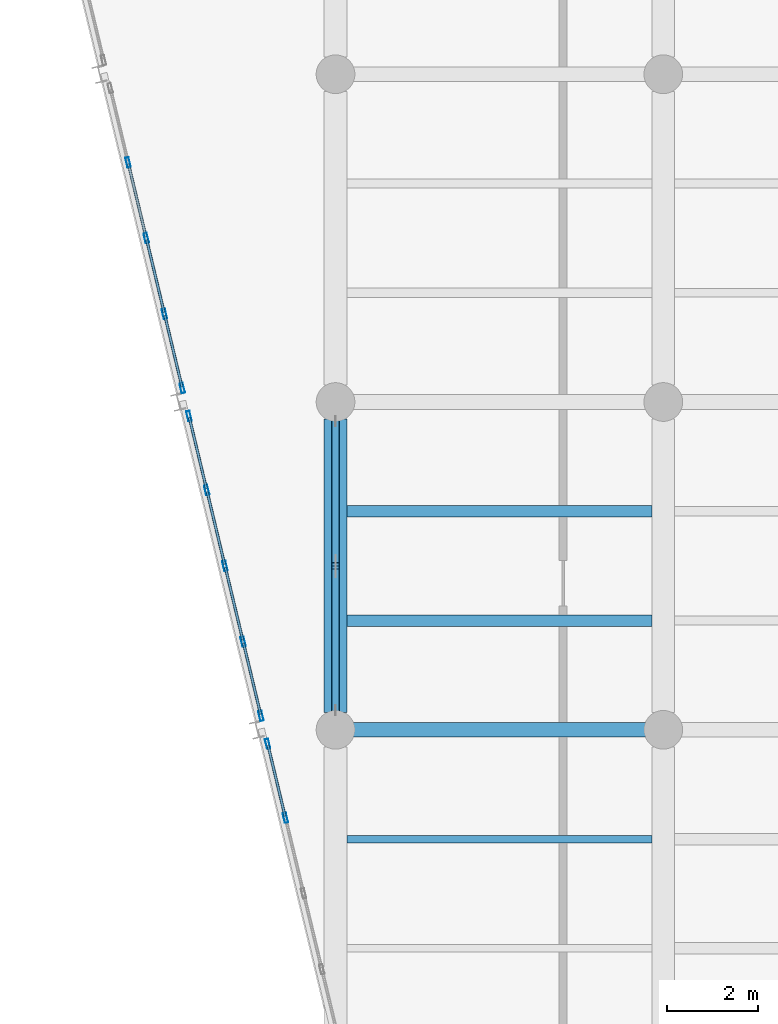
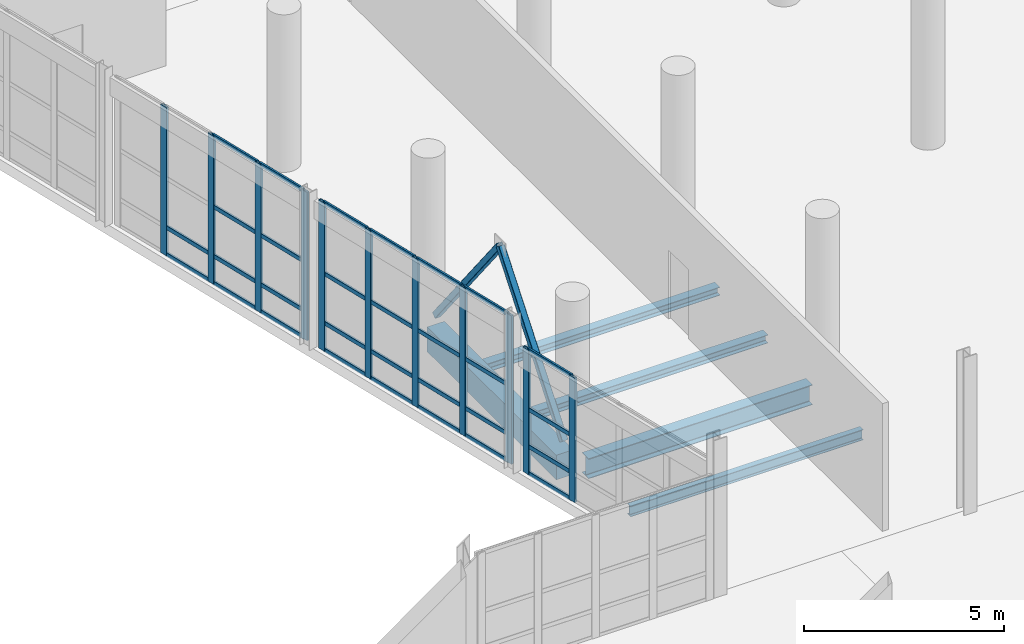
# One storey, part 64 of 127: 43 members, 5 beams, 3 elements without a shape of their own.
"""IFC4 building model written with IfcOpenShell, lengths in metres."""

from ifc_helpers import new_model, si_unit, direction, frame, origin, origin_2d, place, context, subcontext, project, spatial, rectangle, hollow_rectangle, i_section, extrude, material, material_profile, profile_set, type_object, element, aggregate, save


model = new_model("IFC4")

# Units and contexts
model_context = context("Model", 3, precision=1e-05, world=origin(), true_north=direction((0.0, 1.0)))
body_context = subcontext(model_context, "Body", "Model", "MODEL_VIEW")
ifc_project = project(units=[si_unit("LENGTHUNIT", "METRE"), si_unit("AREAUNIT", "SQUARE_METRE"), si_unit("VOLUMEUNIT", "CUBIC_METRE"), si_unit("PLANEANGLEUNIT", "RADIAN"), si_unit("MASSUNIT", "GRAM", prefix="KILO")], contexts=[model_context])

# Site, building, storey
site_placement = place(None, origin())
site = spatial("IfcSite", under=ifc_project, at=site_placement, CompositionType="ELEMENT")
building_placement = place(site_placement, origin())
building = spatial("IfcBuilding", under=site, at=building_placement, Name="Kalmorath City Hall", CompositionType="ELEMENT")
storey_placement = place(building_placement, frame((0.0, 0.0, 5.39990234375)))
storey = spatial("IfcBuildingStorey", under=building, at=storey_placement, Name="L01", CompositionType="ELEMENT", Elevation=5.39990234375)

# Beam
ifc_material_1 = material(Name="Concrete C40/50", Category="concrete")
ifc_material_profile_1 = material_profile(ifc_material_1, rectangle(XDim=0.5, YDim=0.75, at=origin_2d()), Name="RC-BM-500X750")
ifc_profile_set_1 = profile_set([ifc_material_profile_1], Name="Concrete C40/50")
beam_type_1 = type_object("IfcBeamType", Name="Concrete floor beam 500x750", PredefinedType="BEAM", material=ifc_profile_set_1)
beam_1_placement = place(storey_placement, frame((136.800048828125, 50.77490234375, -0.698974609375), z_axis=(0.0, 1.0, 0.0), x_axis=(-1.0, 0.0, 0.0)))
element("IfcBeam", 1, at=beam_1_placement, inside=storey, type_object=beam_type_1, Name="L01 girder CB3 Y20/8-9", PredefinedType="BEAM", context=body_context, shape_type="SweptSolid", body=[
    extrude(rectangle(XDim=0.5, YDim=0.75, at=origin_2d()), origin(), (0.0, 0.0, 1.0), 6.4501953125),
])

# Curtain wall, members
ifc_material_2 = material(Name="Anodised aluminium and laminated glass", Category="aluminium")
curtain_wall_type_1 = type_object("IfcCurtainWallType", Name="Unitised hurricane curtain wall 6842x3801 M1650", PredefinedType="NOTDEFINED", material=ifc_material_2)
curtain_wall_1_placement = place(storey_placement, origin())
curtain_wall_1 = element("IfcCurtainWall", 2, at=curtain_wall_1_placement, inside=storey, type_object=curtain_wall_type_1, Name="L01 curtain wall CW-68X38M16 #94", PredefinedType="NOTDEFINED")
ifc_material_3 = material(Name="Anodised aluminium framing", Category="aluminium")
ifc_material_profile_2 = material_profile(ifc_material_3, hollow_rectangle(XDim=0.06005859375, YDim=0.1298828125, WallThickness=0.00341796875, InnerFilletRadius=0.00341796875, OuterFilletRadius=0.007080078125, at=origin_2d()), Name="ALU-TRN-130X60X3.5")
ifc_profile_set_2 = profile_set([ifc_material_profile_2], Name="Anodised aluminium framing")
member_type_1 = type_object("IfcMemberType", Name="Curtain-wall courtyard transom 130x60", PredefinedType="USERDEFINED", material=ifc_profile_set_2)
member_1_placement = place(storey_placement, frame((135.691162109375, 48.503173828125, 0.030029296875), z_axis=(-0.23343073149, 0.972373433202, 0.0), x_axis=(-0.972373433202, -0.23343073149, 0.0)))
member_1 = element("IfcMember", 3, at=member_1_placement, type_object=member_type_1, Name="CW-68X38M16 transom 4.1", ObjectType="TRANSOM", PredefinedType="USERDEFINED", context=body_context, shape_type="SweptSolid", body=[
    extrude(hollow_rectangle(XDim=0.06005859375, YDim=0.1298828125, WallThickness=0.00341796875, InnerFilletRadius=0.00341796875, OuterFilletRadius=0.007080078125, at=origin_2d()), origin(), (0.0, 0.0, 1.0), 1.59814453125),
])
member_2_placement = place(storey_placement, frame((135.691162109375, 48.503173828125, 0.85009765625), z_axis=(-0.23343073149, 0.972373433202, 0.0), x_axis=(-0.972373433202, -0.23343073149, 0.0)))
member_2 = element("IfcMember", 4, at=member_2_placement, type_object=member_type_1, Name="CW-68X38M16 transom 4.2", ObjectType="TRANSOM", PredefinedType="USERDEFINED", context=body_context, shape_type="SweptSolid", body=[
    extrude(hollow_rectangle(XDim=0.06005859375, YDim=0.1298828125, WallThickness=0.00341796875, InnerFilletRadius=0.00341796875, OuterFilletRadius=0.007080078125, at=origin_2d()), origin(), (0.0, 0.0, 1.0), 1.59814453125),
])
member_3_placement = place(storey_placement, frame((135.691162109375, 48.503173828125, 1.97705078125), z_axis=(-0.23343073149, 0.972373433202, 0.0), x_axis=(-0.972373433202, -0.23343073149, 0.0)))
member_3 = element("IfcMember", 5, at=member_3_placement, type_object=member_type_1, Name="CW-68X38M16 transom 4.3", ObjectType="TRANSOM", PredefinedType="USERDEFINED", context=body_context, shape_type="SweptSolid", body=[
    extrude(hollow_rectangle(XDim=0.06005859375, YDim=0.1298828125, WallThickness=0.00341796875, InnerFilletRadius=0.00341796875, OuterFilletRadius=0.007080078125, at=origin_2d()), origin(), (0.0, 0.0, 1.0), 1.59814453125),
])
member_4_placement = place(storey_placement, frame((135.691162109375, 48.503173828125, 3.77099609375), z_axis=(-0.23343073149, 0.972373433202, 0.0), x_axis=(-0.972373433202, -0.23343073149, 0.0)))
member_4 = element("IfcMember", 6, at=member_4_placement, type_object=member_type_1, Name="CW-68X38M16 transom 4.4", ObjectType="TRANSOM", PredefinedType="USERDEFINED", context=body_context, shape_type="SweptSolid", body=[
    extrude(hollow_rectangle(XDim=0.06005859375, YDim=0.1298828125, WallThickness=0.00341796875, InnerFilletRadius=0.00341796875, OuterFilletRadius=0.007080078125, at=origin_2d()), origin(), (0.0, 0.0, 1.0), 1.59814453125),
])

ifc_material_4 = material(Name="Anodised aluminium and laminated glass", Category="aluminium")
curtain_wall_type_2 = type_object("IfcCurtainWallType", Name="Unitised hurricane curtain wall 6849x4520 M1650", PredefinedType="NOTDEFINED", material=ifc_material_4)
curtain_wall_2_placement = place(storey_placement, origin())
curtain_wall_2 = element("IfcCurtainWall", 7, at=curtain_wall_2_placement, inside=storey, type_object=curtain_wall_type_2, Name="L01 curtain wall CW-68X45M16 #95", PredefinedType="NOTDEFINED")
member_5_placement = place(storey_placement, frame((135.153564453125, 50.742919921875, 0.030029296875), z_axis=(-0.233476838675, 0.972362363423, 0.0), x_axis=(-0.972362363423, -0.233476838675, 0.0)))
member_5 = element("IfcMember", 8, at=member_5_placement, type_object=member_type_1, Name="CW-68X45M16 transom 1.1", ObjectType="TRANSOM", PredefinedType="USERDEFINED", context=body_context, shape_type="SweptSolid", body=[
    extrude(hollow_rectangle(XDim=0.06005859375, YDim=0.1298828125, WallThickness=0.00341796875, InnerFilletRadius=0.00341796875, OuterFilletRadius=0.007080078125, at=origin_2d()), origin(), (0.0, 0.0, 1.0), 1.599853515625),
])
member_6_placement = place(storey_placement, frame((135.153564453125, 50.742919921875, 0.85009765625), z_axis=(-0.233476838675, 0.972362363423, 0.0), x_axis=(-0.972362363423, -0.233476838675, 0.0)))
member_6 = element("IfcMember", 9, at=member_6_placement, type_object=member_type_1, Name="CW-68X45M16 transom 1.2", ObjectType="TRANSOM", PredefinedType="USERDEFINED", context=body_context, shape_type="SweptSolid", body=[
    extrude(hollow_rectangle(XDim=0.06005859375, YDim=0.1298828125, WallThickness=0.00341796875, InnerFilletRadius=0.00341796875, OuterFilletRadius=0.007080078125, at=origin_2d()), origin(), (0.0, 0.0, 1.0), 1.599853515625),
])
member_7_placement = place(storey_placement, frame((135.153564453125, 50.742919921875, 2.35009765625), z_axis=(-0.233476838675, 0.972362363423, 0.0), x_axis=(-0.972362363423, -0.233476838675, 0.0)))
member_7 = element("IfcMember", 10, at=member_7_placement, type_object=member_type_1, Name="CW-68X45M16 transom 1.3", ObjectType="TRANSOM", PredefinedType="USERDEFINED", context=body_context, shape_type="SweptSolid", body=[
    extrude(hollow_rectangle(XDim=0.06005859375, YDim=0.1298828125, WallThickness=0.00341796875, InnerFilletRadius=0.00341796875, OuterFilletRadius=0.007080078125, at=origin_2d()), origin(), (0.0, 0.0, 1.0), 1.599853515625),
])
member_8_placement = place(storey_placement, frame((135.153564453125, 50.742919921875, 4.489990234375), z_axis=(-0.233476838675, 0.972362363423, 0.0), x_axis=(-0.972362363423, -0.233476838675, 0.0)))
member_8 = element("IfcMember", 11, at=member_8_placement, type_object=member_type_1, Name="CW-68X45M16 transom 1.4", ObjectType="TRANSOM", PredefinedType="USERDEFINED", context=body_context, shape_type="SweptSolid", body=[
    extrude(hollow_rectangle(XDim=0.06005859375, YDim=0.1298828125, WallThickness=0.00341796875, InnerFilletRadius=0.00341796875, OuterFilletRadius=0.007080078125, at=origin_2d()), origin(), (0.0, 0.0, 1.0), 1.599853515625),
])
member_9_placement = place(storey_placement, frame((134.7626953125, 52.37158203125, 0.030029296875), z_axis=(-0.233508300868, 0.972354808404, 0.0), x_axis=(-0.972354808404, -0.233508300868, 0.0)))
member_9 = element("IfcMember", 12, at=member_9_placement, type_object=member_type_1, Name="CW-68X45M16 transom 2.1", ObjectType="TRANSOM", PredefinedType="USERDEFINED", context=body_context, shape_type="SweptSolid", body=[
    extrude(hollow_rectangle(XDim=0.06005859375, YDim=0.1298828125, WallThickness=0.00341796875, InnerFilletRadius=0.00341796875, OuterFilletRadius=0.007080078125, at=origin_2d()), origin(), (0.0, 0.0, 1.0), 1.63720703125),
])
member_10_placement = place(storey_placement, frame((134.7626953125, 52.37158203125, 0.85009765625), z_axis=(-0.233508300868, 0.972354808404, 0.0), x_axis=(-0.972354808404, -0.233508300868, 0.0)))
member_10 = element("IfcMember", 13, at=member_10_placement, type_object=member_type_1, Name="CW-68X45M16 transom 2.2", ObjectType="TRANSOM", PredefinedType="USERDEFINED", context=body_context, shape_type="SweptSolid", body=[
    extrude(hollow_rectangle(XDim=0.06005859375, YDim=0.1298828125, WallThickness=0.00341796875, InnerFilletRadius=0.00341796875, OuterFilletRadius=0.007080078125, at=origin_2d()), origin(), (0.0, 0.0, 1.0), 1.63720703125),
])
member_11_placement = place(storey_placement, frame((134.7626953125, 52.37158203125, 2.35009765625), z_axis=(-0.233508300868, 0.972354808404, 0.0), x_axis=(-0.972354808404, -0.233508300868, 0.0)))
member_11 = element("IfcMember", 14, at=member_11_placement, type_object=member_type_1, Name="CW-68X45M16 transom 2.3", ObjectType="TRANSOM", PredefinedType="USERDEFINED", context=body_context, shape_type="SweptSolid", body=[
    extrude(hollow_rectangle(XDim=0.06005859375, YDim=0.1298828125, WallThickness=0.00341796875, InnerFilletRadius=0.00341796875, OuterFilletRadius=0.007080078125, at=origin_2d()), origin(), (0.0, 0.0, 1.0), 1.63720703125),
])
member_12_placement = place(storey_placement, frame((134.7626953125, 52.37158203125, 4.489990234375), z_axis=(-0.233508300868, 0.972354808404, 0.0), x_axis=(-0.972354808404, -0.233508300868, 0.0)))
member_12 = element("IfcMember", 15, at=member_12_placement, type_object=member_type_1, Name="CW-68X45M16 transom 2.4", ObjectType="TRANSOM", PredefinedType="USERDEFINED", context=body_context, shape_type="SweptSolid", body=[
    extrude(hollow_rectangle(XDim=0.06005859375, YDim=0.1298828125, WallThickness=0.00341796875, InnerFilletRadius=0.00341796875, OuterFilletRadius=0.007080078125, at=origin_2d()), origin(), (0.0, 0.0, 1.0), 1.63720703125),
])
member_13_placement = place(storey_placement, frame((134.36279296875, 54.036376953125, 0.030029296875), z_axis=(-0.233367312665, 0.972388655518, 0.0), x_axis=(-0.972388655518, -0.233367312665, 0.0)))
member_13 = element("IfcMember", 16, at=member_13_placement, type_object=member_type_1, Name="CW-68X45M16 transom 3.1", ObjectType="TRANSOM", PredefinedType="USERDEFINED", context=body_context, shape_type="SweptSolid", body=[
    extrude(hollow_rectangle(XDim=0.06005859375, YDim=0.1298828125, WallThickness=0.00341796875, InnerFilletRadius=0.00341796875, OuterFilletRadius=0.007080078125, at=origin_2d()), origin(), (0.0, 0.0, 1.0), 1.63720703125),
])
member_14_placement = place(storey_placement, frame((134.36279296875, 54.036376953125, 0.85009765625), z_axis=(-0.233367312665, 0.972388655518, 0.0), x_axis=(-0.972388655518, -0.233367312665, 0.0)))
member_14 = element("IfcMember", 17, at=member_14_placement, type_object=member_type_1, Name="CW-68X45M16 transom 3.2", ObjectType="TRANSOM", PredefinedType="USERDEFINED", context=body_context, shape_type="SweptSolid", body=[
    extrude(hollow_rectangle(XDim=0.06005859375, YDim=0.1298828125, WallThickness=0.00341796875, InnerFilletRadius=0.00341796875, OuterFilletRadius=0.007080078125, at=origin_2d()), origin(), (0.0, 0.0, 1.0), 1.63720703125),
])
member_15_placement = place(storey_placement, frame((134.36279296875, 54.036376953125, 2.35009765625), z_axis=(-0.233367312665, 0.972388655518, 0.0), x_axis=(-0.972388655518, -0.233367312665, 0.0)))
member_15 = element("IfcMember", 18, at=member_15_placement, type_object=member_type_1, Name="CW-68X45M16 transom 3.3", ObjectType="TRANSOM", PredefinedType="USERDEFINED", context=body_context, shape_type="SweptSolid", body=[
    extrude(hollow_rectangle(XDim=0.06005859375, YDim=0.1298828125, WallThickness=0.00341796875, InnerFilletRadius=0.00341796875, OuterFilletRadius=0.007080078125, at=origin_2d()), origin(), (0.0, 0.0, 1.0), 1.63720703125),
])
member_16_placement = place(storey_placement, frame((134.36279296875, 54.036376953125, 4.489990234375), z_axis=(-0.233367312665, 0.972388655518, 0.0), x_axis=(-0.972388655518, -0.233367312665, 0.0)))
member_16 = element("IfcMember", 19, at=member_16_placement, type_object=member_type_1, Name="CW-68X45M16 transom 3.4", ObjectType="TRANSOM", PredefinedType="USERDEFINED", context=body_context, shape_type="SweptSolid", body=[
    extrude(hollow_rectangle(XDim=0.06005859375, YDim=0.1298828125, WallThickness=0.00341796875, InnerFilletRadius=0.00341796875, OuterFilletRadius=0.007080078125, at=origin_2d()), origin(), (0.0, 0.0, 1.0), 1.63720703125),
])
member_17_placement = place(storey_placement, frame((133.963134765625, 55.701416015625, 0.030029296875), z_axis=(-0.233476838675, 0.972362363423, 0.0), x_axis=(-0.972362363423, -0.233476838675, 0.0)))
member_17 = element("IfcMember", 20, at=member_17_placement, type_object=member_type_1, Name="CW-68X45M16 transom 4.1", ObjectType="TRANSOM", PredefinedType="USERDEFINED", context=body_context, shape_type="SweptSolid", body=[
    extrude(hollow_rectangle(XDim=0.06005859375, YDim=0.1298828125, WallThickness=0.00341796875, InnerFilletRadius=0.00341796875, OuterFilletRadius=0.007080078125, at=origin_2d()), origin(), (0.0, 0.0, 1.0), 1.599853515625),
])
member_18_placement = place(storey_placement, frame((133.963134765625, 55.701416015625, 0.85009765625), z_axis=(-0.233476838675, 0.972362363423, 0.0), x_axis=(-0.972362363423, -0.233476838675, 0.0)))
member_18 = element("IfcMember", 21, at=member_18_placement, type_object=member_type_1, Name="CW-68X45M16 transom 4.2", ObjectType="TRANSOM", PredefinedType="USERDEFINED", context=body_context, shape_type="SweptSolid", body=[
    extrude(hollow_rectangle(XDim=0.06005859375, YDim=0.1298828125, WallThickness=0.00341796875, InnerFilletRadius=0.00341796875, OuterFilletRadius=0.007080078125, at=origin_2d()), origin(), (0.0, 0.0, 1.0), 1.599853515625),
])
member_19_placement = place(storey_placement, frame((133.963134765625, 55.701416015625, 2.35009765625), z_axis=(-0.233476838675, 0.972362363423, 0.0), x_axis=(-0.972362363423, -0.233476838675, 0.0)))
member_19 = element("IfcMember", 22, at=member_19_placement, type_object=member_type_1, Name="CW-68X45M16 transom 4.3", ObjectType="TRANSOM", PredefinedType="USERDEFINED", context=body_context, shape_type="SweptSolid", body=[
    extrude(hollow_rectangle(XDim=0.06005859375, YDim=0.1298828125, WallThickness=0.00341796875, InnerFilletRadius=0.00341796875, OuterFilletRadius=0.007080078125, at=origin_2d()), origin(), (0.0, 0.0, 1.0), 1.599853515625),
])
member_20_placement = place(storey_placement, frame((133.963134765625, 55.701416015625, 4.489990234375), z_axis=(-0.233476838675, 0.972362363423, 0.0), x_axis=(-0.972362363423, -0.233476838675, 0.0)))
member_20 = element("IfcMember", 23, at=member_20_placement, type_object=member_type_1, Name="CW-68X45M16 transom 4.4", ObjectType="TRANSOM", PredefinedType="USERDEFINED", context=body_context, shape_type="SweptSolid", body=[
    extrude(hollow_rectangle(XDim=0.06005859375, YDim=0.1298828125, WallThickness=0.00341796875, InnerFilletRadius=0.00341796875, OuterFilletRadius=0.007080078125, at=origin_2d()), origin(), (0.0, 0.0, 1.0), 1.599853515625),
])

curtain_wall_3_placement = place(storey_placement, origin())
curtain_wall_3 = element("IfcCurtainWall", 24, at=curtain_wall_3_placement, inside=storey, type_object=curtain_wall_type_2, Name="L01 curtain wall CW-68X45M16 #96", PredefinedType="NOTDEFINED")
member_21_placement = place(storey_placement, frame((133.425048828125, 57.94287109375, 0.030029296875), z_axis=(-0.233476838675, 0.972362363423, 0.0), x_axis=(-0.972362363423, -0.233476838675, 0.0)))
member_21 = element("IfcMember", 25, at=member_21_placement, type_object=member_type_1, Name="CW-68X45M16 transom 1.1", ObjectType="TRANSOM", PredefinedType="USERDEFINED", context=body_context, shape_type="SweptSolid", body=[
    extrude(hollow_rectangle(XDim=0.06005859375, YDim=0.1298828125, WallThickness=0.00341796875, InnerFilletRadius=0.00341796875, OuterFilletRadius=0.007080078125, at=origin_2d()), origin(), (0.0, 0.0, 1.0), 1.599853515625),
])
member_22_placement = place(storey_placement, frame((133.425048828125, 57.94287109375, 0.85009765625), z_axis=(-0.233476838675, 0.972362363423, 0.0), x_axis=(-0.972362363423, -0.233476838675, 0.0)))
member_22 = element("IfcMember", 26, at=member_22_placement, type_object=member_type_1, Name="CW-68X45M16 transom 1.2", ObjectType="TRANSOM", PredefinedType="USERDEFINED", context=body_context, shape_type="SweptSolid", body=[
    extrude(hollow_rectangle(XDim=0.06005859375, YDim=0.1298828125, WallThickness=0.00341796875, InnerFilletRadius=0.00341796875, OuterFilletRadius=0.007080078125, at=origin_2d()), origin(), (0.0, 0.0, 1.0), 1.599853515625),
])
member_23_placement = place(storey_placement, frame((133.425048828125, 57.94287109375, 2.35009765625), z_axis=(-0.233476838675, 0.972362363423, 0.0), x_axis=(-0.972362363423, -0.233476838675, 0.0)))
member_23 = element("IfcMember", 27, at=member_23_placement, type_object=member_type_1, Name="CW-68X45M16 transom 1.3", ObjectType="TRANSOM", PredefinedType="USERDEFINED", context=body_context, shape_type="SweptSolid", body=[
    extrude(hollow_rectangle(XDim=0.06005859375, YDim=0.1298828125, WallThickness=0.00341796875, InnerFilletRadius=0.00341796875, OuterFilletRadius=0.007080078125, at=origin_2d()), origin(), (0.0, 0.0, 1.0), 1.599853515625),
])
member_24_placement = place(storey_placement, frame((133.425048828125, 57.94287109375, 4.489990234375), z_axis=(-0.233476838675, 0.972362363423, 0.0), x_axis=(-0.972362363423, -0.233476838675, 0.0)))
member_24 = element("IfcMember", 28, at=member_24_placement, type_object=member_type_1, Name="CW-68X45M16 transom 1.4", ObjectType="TRANSOM", PredefinedType="USERDEFINED", context=body_context, shape_type="SweptSolid", body=[
    extrude(hollow_rectangle(XDim=0.06005859375, YDim=0.1298828125, WallThickness=0.00341796875, InnerFilletRadius=0.00341796875, OuterFilletRadius=0.007080078125, at=origin_2d()), origin(), (0.0, 0.0, 1.0), 1.599853515625),
])
member_25_placement = place(storey_placement, frame((133.033935546875, 59.571533203125, 0.030029296875), z_axis=(-0.233367312665, 0.972388655518, 0.0), x_axis=(-0.972388655518, -0.233367312665, 0.0)))
member_25 = element("IfcMember", 29, at=member_25_placement, type_object=member_type_1, Name="CW-68X45M16 transom 2.1", ObjectType="TRANSOM", PredefinedType="USERDEFINED", context=body_context, shape_type="SweptSolid", body=[
    extrude(hollow_rectangle(XDim=0.06005859375, YDim=0.1298828125, WallThickness=0.00341796875, InnerFilletRadius=0.00341796875, OuterFilletRadius=0.007080078125, at=origin_2d()), origin(), (0.0, 0.0, 1.0), 1.63720703125),
])
member_26_placement = place(storey_placement, frame((133.033935546875, 59.571533203125, 0.85009765625), z_axis=(-0.233367312665, 0.972388655518, 0.0), x_axis=(-0.972388655518, -0.233367312665, 0.0)))
member_26 = element("IfcMember", 30, at=member_26_placement, type_object=member_type_1, Name="CW-68X45M16 transom 2.2", ObjectType="TRANSOM", PredefinedType="USERDEFINED", context=body_context, shape_type="SweptSolid", body=[
    extrude(hollow_rectangle(XDim=0.06005859375, YDim=0.1298828125, WallThickness=0.00341796875, InnerFilletRadius=0.00341796875, OuterFilletRadius=0.007080078125, at=origin_2d()), origin(), (0.0, 0.0, 1.0), 1.63720703125),
])
member_27_placement = place(storey_placement, frame((133.033935546875, 59.571533203125, 2.35009765625), z_axis=(-0.233367312665, 0.972388655518, 0.0), x_axis=(-0.972388655518, -0.233367312665, 0.0)))
member_27 = element("IfcMember", 31, at=member_27_placement, type_object=member_type_1, Name="CW-68X45M16 transom 2.3", ObjectType="TRANSOM", PredefinedType="USERDEFINED", context=body_context, shape_type="SweptSolid", body=[
    extrude(hollow_rectangle(XDim=0.06005859375, YDim=0.1298828125, WallThickness=0.00341796875, InnerFilletRadius=0.00341796875, OuterFilletRadius=0.007080078125, at=origin_2d()), origin(), (0.0, 0.0, 1.0), 1.63720703125),
])
member_28_placement = place(storey_placement, frame((133.033935546875, 59.571533203125, 4.489990234375), z_axis=(-0.233367312665, 0.972388655518, 0.0), x_axis=(-0.972388655518, -0.233367312665, 0.0)))
member_28 = element("IfcMember", 32, at=member_28_placement, type_object=member_type_1, Name="CW-68X45M16 transom 2.4", ObjectType="TRANSOM", PredefinedType="USERDEFINED", context=body_context, shape_type="SweptSolid", body=[
    extrude(hollow_rectangle(XDim=0.06005859375, YDim=0.1298828125, WallThickness=0.00341796875, InnerFilletRadius=0.00341796875, OuterFilletRadius=0.007080078125, at=origin_2d()), origin(), (0.0, 0.0, 1.0), 1.63720703125),
])
member_29_placement = place(storey_placement, frame((132.63427734375, 61.236572265625, 0.030029296875), z_axis=(-0.233508300868, 0.972354808404, 0.0), x_axis=(-0.972354808404, -0.233508300868, 0.0)))
member_29 = element("IfcMember", 33, at=member_29_placement, type_object=member_type_1, Name="CW-68X45M16 transom 3.1", ObjectType="TRANSOM", PredefinedType="USERDEFINED", context=body_context, shape_type="SweptSolid", body=[
    extrude(hollow_rectangle(XDim=0.06005859375, YDim=0.1298828125, WallThickness=0.00341796875, InnerFilletRadius=0.00341796875, OuterFilletRadius=0.007080078125, at=origin_2d()), origin(), (0.0, 0.0, 1.0), 1.63720703125),
])
member_30_placement = place(storey_placement, frame((132.63427734375, 61.236572265625, 0.85009765625), z_axis=(-0.233508300868, 0.972354808404, 0.0), x_axis=(-0.972354808404, -0.233508300868, 0.0)))
member_30 = element("IfcMember", 34, at=member_30_placement, type_object=member_type_1, Name="CW-68X45M16 transom 3.2", ObjectType="TRANSOM", PredefinedType="USERDEFINED", context=body_context, shape_type="SweptSolid", body=[
    extrude(hollow_rectangle(XDim=0.06005859375, YDim=0.1298828125, WallThickness=0.00341796875, InnerFilletRadius=0.00341796875, OuterFilletRadius=0.007080078125, at=origin_2d()), origin(), (0.0, 0.0, 1.0), 1.63720703125),
])

# Member
ifc_material_5 = material(Name="Anodised aluminium framing", Category="aluminium")
ifc_material_profile_3 = material_profile(ifc_material_5, hollow_rectangle(XDim=0.074951171875, YDim=0.219970703125, WallThickness=0.00390625, InnerFilletRadius=0.00390625, OuterFilletRadius=0.008056640625, at=origin_2d()), Name="ALU-MUL-220X75X4")
ifc_profile_set_3 = profile_set([ifc_material_profile_3], Name="Anodised aluminium framing")
member_type_2 = type_object("IfcMemberType", Name="Curtain-wall primary mullion 220x75", PredefinedType="MULLION", material=ifc_profile_set_3)
member_31_placement = place(storey_placement, frame((135.699951171875, 48.466796875, 0.0), z_axis=(0.0, 0.0, 1.0), x_axis=(-0.97236806196, -0.23345310467, 0.0)))
member_31 = element("IfcMember", 35, at=member_31_placement, type_object=member_type_2, Name="CW-68X38M16 mullion 4", PredefinedType="MULLION", context=body_context, shape_type="SweptSolid", body=[
    extrude(hollow_rectangle(XDim=0.074951171875, YDim=0.219970703125, WallThickness=0.00390625, InnerFilletRadius=0.00390625, OuterFilletRadius=0.008056640625, at=origin_2d()), origin(), (0.0, 0.0, 1.0), 3.801025390625),
])

member_32_placement = place(storey_placement, frame((135.3095703125, 50.093505859375, 0.0), z_axis=(0.0, 0.0, 1.0), x_axis=(-0.97236806196, -0.23345310467, 0.0)))
member_32 = element("IfcMember", 36, at=member_32_placement, type_object=member_type_2, Name="CW-68X38M16 mullion 5", PredefinedType="MULLION", context=body_context, shape_type="SweptSolid", body=[
    extrude(hollow_rectangle(XDim=0.074951171875, YDim=0.219970703125, WallThickness=0.00390625, InnerFilletRadius=0.00390625, OuterFilletRadius=0.008056640625, at=origin_2d()), origin(), (0.0, 0.0, 1.0), 3.801025390625),
])

aggregate(curtain_wall_1, [member_31, member_32, member_1, member_2, member_3, member_4])

member_33_placement = place(storey_placement, frame((135.162353515625, 50.70654296875, 0.0), z_axis=(0.0, 0.0, 1.0), x_axis=(-0.97236741933, -0.233455781305, 0.0)))
member_33 = element("IfcMember", 37, at=member_33_placement, type_object=member_type_2, Name="CW-68X45M16 mullion 1", PredefinedType="MULLION", context=body_context, shape_type="SweptSolid", body=[
    extrude(hollow_rectangle(XDim=0.074951171875, YDim=0.219970703125, WallThickness=0.00390625, InnerFilletRadius=0.00390625, OuterFilletRadius=0.008056640625, at=origin_2d()), origin(), (0.0, 0.0, 1.0), 4.52001953125),
])

member_34_placement = place(storey_placement, frame((134.771240234375, 52.3349609375, 0.0), z_axis=(0.0, 0.0, 1.0), x_axis=(-0.97236741933, -0.233455781305, 0.0)))
member_34 = element("IfcMember", 38, at=member_34_placement, type_object=member_type_2, Name="CW-68X45M16 mullion 2", PredefinedType="MULLION", context=body_context, shape_type="SweptSolid", body=[
    extrude(hollow_rectangle(XDim=0.074951171875, YDim=0.219970703125, WallThickness=0.00390625, InnerFilletRadius=0.00390625, OuterFilletRadius=0.008056640625, at=origin_2d()), origin(), (0.0, 0.0, 1.0), 4.52001953125),
])

member_35_placement = place(storey_placement, frame((134.37158203125, 54.0, 0.0), z_axis=(0.0, 0.0, 1.0), x_axis=(-0.97236741933, -0.233455781305, 0.0)))
member_35 = element("IfcMember", 39, at=member_35_placement, type_object=member_type_2, Name="CW-68X45M16 mullion 3", PredefinedType="MULLION", context=body_context, shape_type="SweptSolid", body=[
    extrude(hollow_rectangle(XDim=0.074951171875, YDim=0.219970703125, WallThickness=0.00390625, InnerFilletRadius=0.00390625, OuterFilletRadius=0.008056640625, at=origin_2d()), origin(), (0.0, 0.0, 1.0), 4.52001953125),
])

member_36_placement = place(storey_placement, frame((133.971923828125, 55.6650390625, 0.0), z_axis=(0.0, 0.0, 1.0), x_axis=(-0.97236741933, -0.233455781305, 0.0)))
member_36 = element("IfcMember", 40, at=member_36_placement, type_object=member_type_2, Name="CW-68X45M16 mullion 4", PredefinedType="MULLION", context=body_context, shape_type="SweptSolid", body=[
    extrude(hollow_rectangle(XDim=0.074951171875, YDim=0.219970703125, WallThickness=0.00390625, InnerFilletRadius=0.00390625, OuterFilletRadius=0.008056640625, at=origin_2d()), origin(), (0.0, 0.0, 1.0), 4.52001953125),
])

member_37_placement = place(storey_placement, frame((133.580810546875, 57.29345703125, 0.0), z_axis=(0.0, 0.0, 1.0), x_axis=(-0.97236741933, -0.233455781305, 0.0)))
member_37 = element("IfcMember", 41, at=member_37_placement, type_object=member_type_2, Name="CW-68X45M16 mullion 5", PredefinedType="MULLION", context=body_context, shape_type="SweptSolid", body=[
    extrude(hollow_rectangle(XDim=0.074951171875, YDim=0.219970703125, WallThickness=0.00390625, InnerFilletRadius=0.00390625, OuterFilletRadius=0.008056640625, at=origin_2d()), origin(), (0.0, 0.0, 1.0), 4.52001953125),
])

aggregate(curtain_wall_2, [member_33, member_34, member_35, member_36, member_37, member_5, member_6, member_7, member_8, member_9, member_10, member_11, member_12, member_13, member_14, member_15, member_16, member_17, member_18, member_19, member_20])

member_38_placement = place(storey_placement, frame((133.433837890625, 57.906494140625, 0.0), z_axis=(0.0, 0.0, 1.0), x_axis=(-0.97236741933, -0.233455781305, 0.0)))
member_38 = element("IfcMember", 42, at=member_38_placement, type_object=member_type_2, Name="CW-68X45M16 mullion 1", PredefinedType="MULLION", context=body_context, shape_type="SweptSolid", body=[
    extrude(hollow_rectangle(XDim=0.074951171875, YDim=0.219970703125, WallThickness=0.00390625, InnerFilletRadius=0.00390625, OuterFilletRadius=0.008056640625, at=origin_2d()), origin(), (0.0, 0.0, 1.0), 4.52001953125),
])

member_39_placement = place(storey_placement, frame((133.042724609375, 59.534912109375, 0.0), z_axis=(0.0, 0.0, 1.0), x_axis=(-0.97236741933, -0.233455781305, 0.0)))
member_39 = element("IfcMember", 43, at=member_39_placement, type_object=member_type_2, Name="CW-68X45M16 mullion 2", PredefinedType="MULLION", context=body_context, shape_type="SweptSolid", body=[
    extrude(hollow_rectangle(XDim=0.074951171875, YDim=0.219970703125, WallThickness=0.00390625, InnerFilletRadius=0.00390625, OuterFilletRadius=0.008056640625, at=origin_2d()), origin(), (0.0, 0.0, 1.0), 4.52001953125),
])

member_40_placement = place(storey_placement, frame((132.64306640625, 61.199951171875, 0.0), z_axis=(0.0, 0.0, 1.0), x_axis=(-0.97236741933, -0.233455781305, 0.0)))
member_40 = element("IfcMember", 44, at=member_40_placement, type_object=member_type_2, Name="CW-68X45M16 mullion 3", PredefinedType="MULLION", context=body_context, shape_type="SweptSolid", body=[
    extrude(hollow_rectangle(XDim=0.074951171875, YDim=0.219970703125, WallThickness=0.00390625, InnerFilletRadius=0.00390625, OuterFilletRadius=0.008056640625, at=origin_2d()), origin(), (0.0, 0.0, 1.0), 4.52001953125),
])

member_41_placement = place(storey_placement, frame((132.2431640625, 62.864990234375, 0.0), z_axis=(0.0, 0.0, 1.0), x_axis=(-0.97236741933, -0.233455781305, 0.0)))
member_41 = element("IfcMember", 45, at=member_41_placement, type_object=member_type_2, Name="CW-68X45M16 mullion 4", PredefinedType="MULLION", context=body_context, shape_type="SweptSolid", body=[
    extrude(hollow_rectangle(XDim=0.074951171875, YDim=0.219970703125, WallThickness=0.00390625, InnerFilletRadius=0.00390625, OuterFilletRadius=0.008056640625, at=origin_2d()), origin(), (0.0, 0.0, 1.0), 4.52001953125),
])

aggregate(curtain_wall_3, [member_38, member_39, member_40, member_41, member_21, member_22, member_23, member_24, member_25, member_26, member_27, member_28, member_29, member_30])

# Beams
ifc_material_6 = material(Name="Steel ASTM A992 Grade 50", Category="steel")
ifc_material_profile_4 = material_profile(ifc_material_6, i_section(OverallWidth=0.323974609375, OverallDepth=0.611083984375, WebThickness=0.0126953125, FlangeThickness=0.01904296875, FilletRadius=0.01611328125, at=origin_2d()), Name="W24X104")
ifc_profile_set_4 = profile_set([ifc_material_profile_4], Name="Steel ASTM A992 Grade 50")
beam_type_2 = type_object("IfcBeamType", Name="Steel floor girder W24X104", PredefinedType="BEAM", material=ifc_profile_set_4)
beam_2_placement = place(storey_placement, frame((137.175048828125, 50.39990234375, -0.62939453125), z_axis=(1.0, 0.0, 0.0), x_axis=(0.0, 1.0, 0.0)))
element("IfcBeam", 46, at=beam_2_placement, inside=storey, type_object=beam_type_2, Name="L01 girder SG7 X20-21/8", PredefinedType="BEAM", context=body_context, shape_type="SweptSolid", body=[
    extrude(i_section(OverallWidth=0.323974609375, OverallDepth=0.611083984375, WebThickness=0.0126953125, FlangeThickness=0.01904296875, FilletRadius=0.01611328125, at=origin_2d()), origin(), (0.0, 0.0, 1.0), 6.449951171875),
])
ifc_material_7 = material(Name="Steel ASTM A992 Grade 50", Category="steel")
ifc_material_profile_5 = material_profile(ifc_material_7, i_section(OverallWidth=0.1669921875, OverallDepth=0.318115234375, WebThickness=0.007568359375, FlangeThickness=0.01318359375, FilletRadius=0.012939453125, at=origin_2d()), Name="W12X35")
ifc_profile_set_5 = profile_set([ifc_material_profile_5], Name="Steel ASTM A992 Grade 50")
beam_type_3 = type_object("IfcBeamType", Name="Steel header lintel W12X35", PredefinedType="LINTEL", material=ifc_profile_set_5)
beam_3_placement = place(storey_placement, frame((137.050048828125, 48.0, -0.48291015625), z_axis=(1.0, 0.0, 0.0), x_axis=(0.0, 1.0, 0.0)))
element("IfcBeam", 47, at=beam_3_placement, inside=storey, type_object=beam_type_3, Name="L01 joist SJ13 20.7.2", PredefinedType="LINTEL", context=body_context, shape_type="SweptSolid", body=[
    extrude(i_section(OverallWidth=0.1669921875, OverallDepth=0.318115234375, WebThickness=0.007568359375, FlangeThickness=0.01318359375, FilletRadius=0.012939453125, at=origin_2d()), origin(), (0.0, 0.0, 1.0), 6.699951171875),
])

# Members
ifc_material_8 = material(Name="Steel ASTM A500 Grade C", Category="steel")
ifc_material_profile_6 = material_profile(ifc_material_8, hollow_rectangle(XDim=0.177978515625, YDim=0.177978515625, WallThickness=0.0087890625, InnerFilletRadius=0.0087890625, OuterFilletRadius=0.017822265625, at=origin_2d()), Name="HSS178X178X9.5")
ifc_profile_set_6 = profile_set([ifc_material_profile_6], Name="Steel ASTM A500 Grade C")
member_type_3 = type_object("IfcMemberType", Name="Steel seismic brace HSS178X178X9.5", PredefinedType="BRACE", material=ifc_profile_set_6)
for number, where, z_axis, x_axis, name in (
    (48, (136.800048828125, 50.824951171875, 0.0), (0.0, 0.619806527718, 0.784754654779), (-1.0, 0.0, 0.0), "L01 chevron brace BR3 5A"),
    (49, (136.800048828125, 57.175048828125, 0.0), (0.0, -0.619806527718, 0.784754654779), (1.0, 0.0, 0.0), "L01 chevron brace BR3 5B"),
):
    element("IfcMember", number, at=place(storey_placement, frame(where, z_axis=z_axis, x_axis=x_axis)), inside=storey, type_object=member_type_3, Name=name, PredefinedType="BRACE", context=body_context, shape_type="SweptSolid", body=[
        extrude(hollow_rectangle(XDim=0.177978515625, YDim=0.177978515625, WallThickness=0.0087890625, InnerFilletRadius=0.0087890625, OuterFilletRadius=0.017822265625, at=origin_2d()), origin(), (0.0, 0.0, 1.0), 5.12255859375),
    ])

# Beams
ifc_material_9 = material(Name="Steel ASTM A992 Grade 50", Category="steel")
ifc_material_profile_7 = material_profile(ifc_material_9, i_section(OverallWidth=0.25390625, OverallDepth=0.2529296875, WebThickness=0.008544921875, FlangeThickness=0.01416015625, FilletRadius=0.011962890625, at=origin_2d()), Name="W10X49")
ifc_profile_set_7 = profile_set([ifc_material_profile_7], Name="Steel ASTM A992 Grade 50")
beam_type_4 = type_object("IfcBeamType", Name="Steel trimmer beam W10X49", PredefinedType="BEAM", material=ifc_profile_set_7)
for number, where, z_axis, x_axis, name in (
    (50, (137.050048828125, 52.800048828125, -0.450439453125), (1.0, 0.0, 0.0), (0.0, 1.0, 0.0), "L01 joist SJ14 20.8.1"),
    (51, (137.050048828125, 55.199951171875, -0.450439453125), (1.0, 0.0, 0.0), (0.0, 1.0, 0.0), "L01 joist SJ14 20.8.2"),
):
    element("IfcBeam", number, at=place(storey_placement, frame(where, z_axis=z_axis, x_axis=x_axis)), inside=storey, type_object=beam_type_4, Name=name, PredefinedType="BEAM", context=body_context, shape_type="SweptSolid", body=[
        extrude(i_section(OverallWidth=0.25390625, OverallDepth=0.2529296875, WebThickness=0.008544921875, FlangeThickness=0.01416015625, FilletRadius=0.011962890625, at=origin_2d()), origin(), (0.0, 0.0, 1.0), 6.699951171875),
    ])

save(model, "model.ifc")
